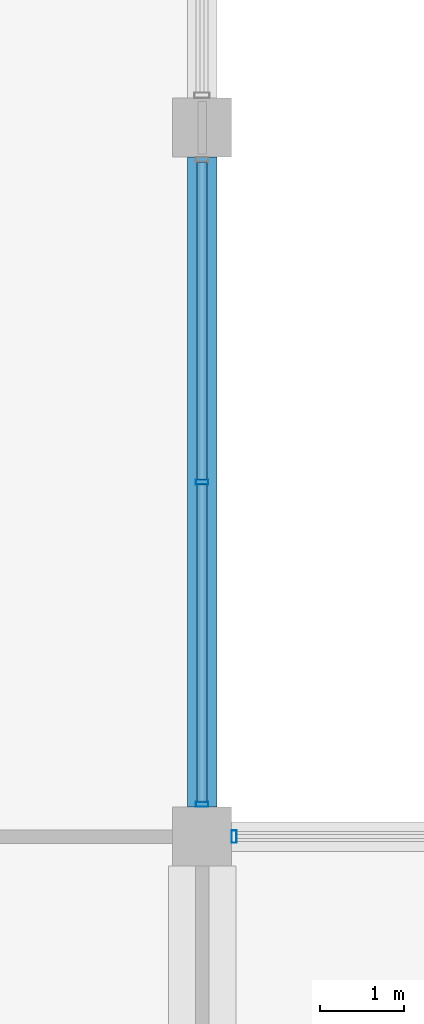
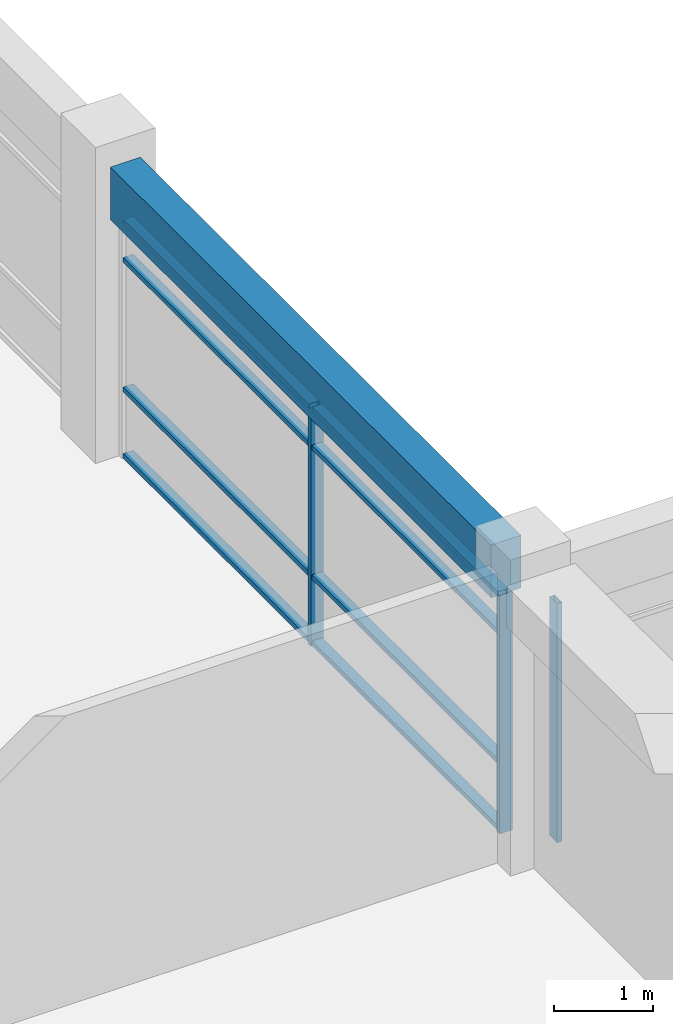
# One storey, part 20 of 72: 11 members, 1 beam, 2 elements without a shape of their own.
"""IFC4 building model written with IfcOpenShell, lengths in metres."""

from ifc_helpers import new_model, si_unit, direction, frame, origin, origin_2d, place, context, subcontext, project, spatial, rectangle, hollow_rectangle, extrude, material, material_profile, profile_set, type_object, element, aggregate, save


model = new_model("IFC4")

# Units and contexts
model_context = context("Model", 3, precision=1e-05, world=origin(), true_north=direction((0.0, 1.0)))
body_context = subcontext(model_context, "Body", "Model", "MODEL_VIEW")
ifc_project = project(units=[si_unit("LENGTHUNIT", "METRE"), si_unit("AREAUNIT", "SQUARE_METRE"), si_unit("VOLUMEUNIT", "CUBIC_METRE"), si_unit("PLANEANGLEUNIT", "RADIAN"), si_unit("MASSUNIT", "GRAM", prefix="KILO"), si_unit("THERMODYNAMICTEMPERATUREUNIT", "KELVIN"), si_unit("POWERUNIT", "WATT")], contexts=[model_context])

# Site, building, storey
site_placement = place(None, origin())
site = spatial("IfcSite", under=ifc_project, at=site_placement, CompositionType="ELEMENT")
building_placement = place(site_placement, origin())
building = spatial("IfcBuilding", under=site, at=building_placement, Name="Srebrne Nadtorze General Hospital", CompositionType="ELEMENT")
storey_placement = place(building_placement, frame((0.0, 0.0, 22.199951171875)))
storey = spatial("IfcBuildingStorey", under=building, at=storey_placement, Name="L05", CompositionType="ELEMENT", Elevation=22.199951171875)

# Curtain wall, member
ifc_material_1 = material(Name="Anodised Aluminium", Category="aluminium")
curtain_wall_type_1 = type_object("IfcCurtainWallType", Name="Unitised curtain wall 7100x2950", PredefinedType="NOTDEFINED", material=ifc_material_1)
curtain_wall_1_placement = place(storey_placement, origin())
curtain_wall_1 = element("IfcCurtainWall", 1, at=curtain_wall_1_placement, inside=storey, type_object=curtain_wall_type_1, Name="Curtain wall CW-114", PredefinedType="NOTDEFINED")
ifc_material_2 = material(Name="Anodised Aluminium", Category="aluminium")
ifc_material_profile_1 = material_profile(ifc_material_2, hollow_rectangle(XDim=0.06005859375, YDim=0.14990234375, WallThickness=0.00390625, at=origin_2d()), Name="AL-MUL-60x150")
ifc_profile_set_1 = profile_set([ifc_material_profile_1], Name="Anodised Aluminium")
member_type_1 = type_object("IfcMemberType", Name="Curtain mullion 60x150", PredefinedType="MULLION", material=ifc_profile_set_1)
member_1_placement = place(storey_placement, frame((117.3798828125, 8.39990234375, 0.0), z_axis=(0.0, 0.0, 1.0), x_axis=(1.0, 0.0, 0.0)))
member_1 = element("IfcMember", 2, at=member_1_placement, type_object=member_type_1, Name="CW-114 mullion 1", PredefinedType="MULLION", context=body_context, shape_type="SweptSolid", body=[
    extrude(hollow_rectangle(XDim=0.06005859375, YDim=0.14990234375, WallThickness=0.00390625, at=origin_2d()), origin(), (0.0, 0.0, 1.0), 2.949951171875),
])
aggregate(curtain_wall_1, [member_1])

# Curtain wall, members
ifc_material_3 = material(Name="Anodised Aluminium", Category="aluminium")
curtain_wall_type_2 = type_object("IfcCurtainWallType", Name="Unitised curtain wall 7700x2950", PredefinedType="NOTDEFINED", material=ifc_material_3)
curtain_wall_2_placement = place(storey_placement, origin())
curtain_wall_2 = element("IfcCurtainWall", 3, at=curtain_wall_2_placement, inside=storey, type_object=curtain_wall_type_2, Name="Curtain wall CW-134", PredefinedType="NOTDEFINED")
member_2_placement = place(storey_placement, frame((117.0, 8.780029296875, 0.0), z_axis=(0.0, 0.0, 1.0), x_axis=(0.0, 1.0, 0.0)))
member_2 = element("IfcMember", 4, at=member_2_placement, type_object=member_type_1, Name="CW-134 mullion 1", PredefinedType="MULLION", context=body_context, shape_type="SweptSolid", body=[
    extrude(hollow_rectangle(XDim=0.06005859375, YDim=0.14990234375, WallThickness=0.00390625, at=origin_2d()), origin(), (0.0, 0.0, 1.0), 2.949951171875),
])
member_3_placement = place(storey_placement, frame((117.0, 12.60009765625, 0.0), z_axis=(0.0, 0.0, 1.0), x_axis=(0.0, 1.0, 0.0)))
member_3 = element("IfcMember", 5, at=member_3_placement, type_object=member_type_1, Name="CW-134 mullion 2", PredefinedType="MULLION", context=body_context, shape_type="SweptSolid", body=[
    extrude(hollow_rectangle(XDim=0.06005859375, YDim=0.14990234375, WallThickness=0.00390625, at=origin_2d()), origin(), (0.0, 0.0, 1.0), 2.949951171875),
])
ifc_material_4 = material(Name="Anodised Aluminium", Category="aluminium")
ifc_material_profile_2 = material_profile(ifc_material_4, hollow_rectangle(XDim=0.06005859375, YDim=0.1201171875, WallThickness=0.00390625, at=origin_2d()), Name="AL-TRN-60x120")
ifc_profile_set_2 = profile_set([ifc_material_profile_2], Name="Anodised Aluminium")
member_type_2 = type_object("IfcMemberType", Name="Curtain transom 60x120", PredefinedType="USERDEFINED", material=ifc_profile_set_2)
member_4_placement = place(storey_placement, frame((117.0, 8.81005859375, 0.030029296875), z_axis=(0.0, 1.0, 0.0), x_axis=(0.0, 0.0, 1.0)))
member_4 = element("IfcMember", 6, at=member_4_placement, type_object=member_type_2, Name="CW-134 transom 1.1", ObjectType="TRANSOM", PredefinedType="USERDEFINED", context=body_context, shape_type="SweptSolid", body=[
    extrude(hollow_rectangle(XDim=0.06005859375, YDim=0.1201171875, WallThickness=0.00390625, at=origin_2d()), origin(), (0.0, 0.0, 1.0), 3.760009765625),
])
member_5_placement = place(storey_placement, frame((117.0, 8.81005859375, 0.85009765625), z_axis=(0.0, 1.0, 0.0), x_axis=(0.0, 0.0, 1.0)))
member_5 = element("IfcMember", 7, at=member_5_placement, type_object=member_type_2, Name="CW-134 transom 1.2", ObjectType="TRANSOM", PredefinedType="USERDEFINED", context=body_context, shape_type="SweptSolid", body=[
    extrude(hollow_rectangle(XDim=0.06005859375, YDim=0.1201171875, WallThickness=0.00390625, at=origin_2d()), origin(), (0.0, 0.0, 1.0), 3.760009765625),
])
member_6_placement = place(storey_placement, frame((117.0, 8.81005859375, 2.449951171875), z_axis=(0.0, 1.0, 0.0), x_axis=(0.0, 0.0, 1.0)))
member_6 = element("IfcMember", 8, at=member_6_placement, type_object=member_type_2, Name="CW-134 transom 1.3", ObjectType="TRANSOM", PredefinedType="USERDEFINED", context=body_context, shape_type="SweptSolid", body=[
    extrude(hollow_rectangle(XDim=0.06005859375, YDim=0.1201171875, WallThickness=0.00390625, at=origin_2d()), origin(), (0.0, 0.0, 1.0), 3.760009765625),
])
member_7_placement = place(storey_placement, frame((117.0, 8.81005859375, 2.920166015625), z_axis=(0.0, 1.0, 0.0), x_axis=(0.0, 0.0, 1.0)))
member_7 = element("IfcMember", 9, at=member_7_placement, type_object=member_type_2, Name="CW-134 transom 1.4", ObjectType="TRANSOM", PredefinedType="USERDEFINED", context=body_context, shape_type="SweptSolid", body=[
    extrude(hollow_rectangle(XDim=0.06005859375, YDim=0.1201171875, WallThickness=0.00390625, at=origin_2d()), origin(), (0.0, 0.0, 1.0), 3.760009765625),
])
member_8_placement = place(storey_placement, frame((117.0, 12.6298828125, 0.030029296875), z_axis=(0.0, 1.0, 0.0), x_axis=(0.0, 0.0, 1.0)))
member_8 = element("IfcMember", 10, at=member_8_placement, type_object=member_type_2, Name="CW-134 transom 2.1", ObjectType="TRANSOM", PredefinedType="USERDEFINED", context=body_context, shape_type="SweptSolid", body=[
    extrude(hollow_rectangle(XDim=0.06005859375, YDim=0.1201171875, WallThickness=0.00390625, at=origin_2d()), origin(), (0.0, 0.0, 1.0), 3.760009765625),
])
member_9_placement = place(storey_placement, frame((117.0, 12.6298828125, 0.85009765625), z_axis=(0.0, 1.0, 0.0), x_axis=(0.0, 0.0, 1.0)))
member_9 = element("IfcMember", 11, at=member_9_placement, type_object=member_type_2, Name="CW-134 transom 2.2", ObjectType="TRANSOM", PredefinedType="USERDEFINED", context=body_context, shape_type="SweptSolid", body=[
    extrude(hollow_rectangle(XDim=0.06005859375, YDim=0.1201171875, WallThickness=0.00390625, at=origin_2d()), origin(), (0.0, 0.0, 1.0), 3.760009765625),
])
member_10_placement = place(storey_placement, frame((117.0, 12.6298828125, 2.449951171875), z_axis=(0.0, 1.0, 0.0), x_axis=(0.0, 0.0, 1.0)))
member_10 = element("IfcMember", 12, at=member_10_placement, type_object=member_type_2, Name="CW-134 transom 2.3", ObjectType="TRANSOM", PredefinedType="USERDEFINED", context=body_context, shape_type="SweptSolid", body=[
    extrude(hollow_rectangle(XDim=0.06005859375, YDim=0.1201171875, WallThickness=0.00390625, at=origin_2d()), origin(), (0.0, 0.0, 1.0), 3.760009765625),
])
member_11_placement = place(storey_placement, frame((117.0, 12.6298828125, 2.920166015625), z_axis=(0.0, 1.0, 0.0), x_axis=(0.0, 0.0, 1.0)))
member_11 = element("IfcMember", 13, at=member_11_placement, type_object=member_type_2, Name="CW-134 transom 2.4", ObjectType="TRANSOM", PredefinedType="USERDEFINED", context=body_context, shape_type="SweptSolid", body=[
    extrude(hollow_rectangle(XDim=0.06005859375, YDim=0.1201171875, WallThickness=0.00390625, at=origin_2d()), origin(), (0.0, 0.0, 1.0), 3.760009765625),
])
aggregate(curtain_wall_2, [member_2, member_3, member_4, member_5, member_6, member_7, member_8, member_9, member_10, member_11])

# Beam
ifc_material_5 = material(Name="Concrete C35/45", Category="concrete")
ifc_material_profile_3 = material_profile(ifc_material_5, rectangle(XDim=0.35009765625, YDim=0.64990234375, at=origin_2d()), Name="RC-BM-350x650")
ifc_profile_set_3 = profile_set([ifc_material_profile_3], Name="Concrete C35/45")
beam_type = type_object("IfcBeamType", Name="Edge beam RC 350x650", PredefinedType="BEAM", material=ifc_profile_set_3)
beam_placement = place(storey_placement, frame((117.0, 8.75, 3.275146484375), z_axis=(0.0, 1.0, 0.0), x_axis=(-1.0, 0.0, 0.0)))
element("IfcBeam", 14, at=beam_placement, inside=storey, type_object=beam_type, Name="Beam BM-L05-Y-1104", PredefinedType="BEAM", context=body_context, shape_type="SweptSolid", body=[
    extrude(rectangle(XDim=0.35009765625, YDim=0.64990234375, at=origin_2d()), origin(), (0.0, 0.0, 1.0), 7.699951171875),
])

save(model, "model.ifc")
